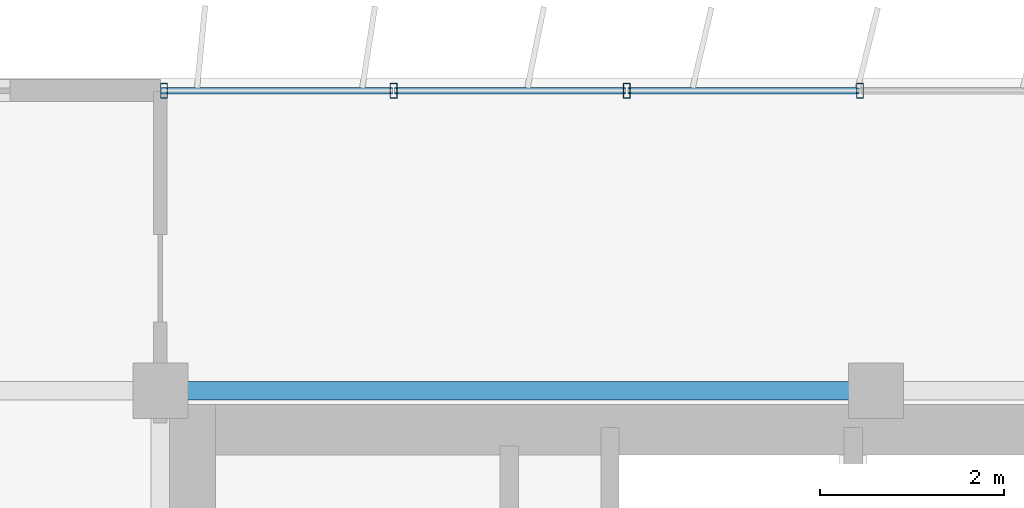
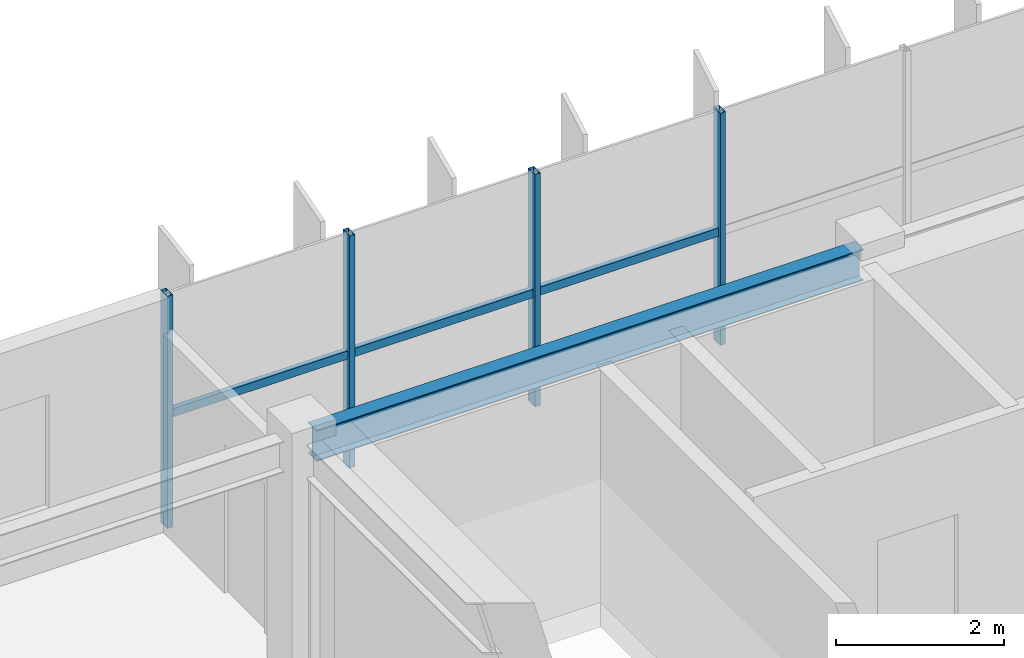
# One storey, part 6 of 21: 7 members, 1 beam, 1 element without a shape of its own.
"""IFC4 building model written with IfcOpenShell, lengths in metres."""

from ifc_helpers import new_model, si_unit, direction, frame, origin, origin_2d, place, context, subcontext, project, spatial, hollow_rectangle, i_section, extrude, source, transform, mapped, material, material_profile, profile_set, type_object, element, aggregate, save


model = new_model("IFC4")

# Units and contexts
model_context = context("Model", 3, precision=1e-05, world=origin(), true_north=direction((0.0, 1.0)))
body_context = subcontext(model_context, "Body", "Model", "MODEL_VIEW")
ifc_project = project(units=[si_unit("LENGTHUNIT", "METRE"), si_unit("AREAUNIT", "SQUARE_METRE"), si_unit("VOLUMEUNIT", "CUBIC_METRE"), si_unit("PLANEANGLEUNIT", "RADIAN"), si_unit("MASSUNIT", "GRAM", prefix="KILO")], contexts=[model_context])

# Site, building, storey
site_placement = place(None, origin())
site = spatial("IfcSite", under=ifc_project, at=site_placement, CompositionType="ELEMENT")
building_placement = place(site_placement, origin())
building = spatial("IfcBuilding", under=site, at=building_placement, Name="Trelvane Seafront Commons", CompositionType="ELEMENT")
storey_placement = place(building_placement, frame((0.0, 0.0, 248.699951171875)))
storey = spatial("IfcBuildingStorey", under=building, at=storey_placement, Name="L64", CompositionType="ELEMENT", Elevation=248.699951171875)

# Beam
ifc_material_1 = material(Name="Steel SM355 (S355)", Category="steel")
ifc_material_profile_1 = material_profile(ifc_material_1, i_section(OverallWidth=0.199951171875, OverallDepth=0.449951171875, WebThickness=0.009033203125, FlangeThickness=0.013916015625, at=origin_2d()), Name="H-450x200x9x14")
ifc_profile_set_1 = profile_set([ifc_material_profile_1], Name="Steel SM355 (S355)")
beam_type = type_object("IfcBeamType", Name="STR-SPD-H450", PredefinedType="SPANDREL", material=ifc_profile_set_1)
shared_shape_1 = source(origin(), body_context, "Body", "SweptSolid", [
    extrude(i_section(OverallWidth=0.199951171875, OverallDepth=0.449951171875, WebThickness=0.009033203125, FlangeThickness=0.013916015625, at=origin_2d()), origin(), (0.0, 0.0, 1.0), 7.5),
])
beam_placement = place(storey_placement, frame((15.75, 45.10009765625, 3.14501953125), z_axis=(1.0, 0.0, 0.0), x_axis=(0.0, 1.0, 0.0)))
element("IfcBeam", 1, at=beam_placement, inside=storey, type_object=beam_type, Name="L64 Primary Girder G-23", PredefinedType="SPANDREL", context=body_context, shape_type="MappedRepresentation", body=[
    mapped(shared_shape_1, transform((0.0, 0.0, 0.0), x_axis=(1.0, 0.0, 0.0), y_axis=(0.0, 1.0, 0.0), z_axis=(0.0, 0.0, 1.0), scale=1.0)),
])

# Curtain wall, members
ifc_material_2 = material(Name="Anodised pale-silver aluminium", Category="aluminium")
curtain_wall_type = type_object("IfcCurtainWallType", Name="ARCH-CW5-UPTOWER", PredefinedType="NOTDEFINED", material=ifc_material_2)
curtain_wall_placement = place(storey_placement, origin())
curtain_wall = element("IfcCurtainWall", 2, at=curtain_wall_placement, inside=storey, type_object=curtain_wall_type, Name="CW-L64-0108", PredefinedType="NOTDEFINED")
ifc_material_profile_2 = material_profile(ifc_material_2, hollow_rectangle(XDim=0.070068359375, YDim=0.1201171875, WallThickness=0.00390625, at=origin_2d()), Name="TRAN-70x120x4")
ifc_profile_set_2 = profile_set([ifc_material_profile_2], Name="Anodised pale-silver aluminium")
member_type_1 = type_object("IfcMemberType", Name="ARCH-CW-TRAN-120", PredefinedType="USERDEFINED", material=ifc_profile_set_2)
shared_shape_2 = source(origin(), body_context, "Body", "SweptSolid", [
    extrude(hollow_rectangle(XDim=0.070068359375, YDim=0.1201171875, WallThickness=0.00390625, at=origin_2d()), origin(), (0.0, 0.0, 1.0), 2.51708984375),
])
member_1_placement = place(storey_placement, frame((15.612060546875, 48.3701171875, 1.6181640625), z_axis=(1.0, 0.0, 0.0), x_axis=(0.0, 1.0, 0.0)))
member_1 = element("IfcMember", 3, at=member_1_placement, type_object=member_type_1, Name="CW-L64-0108-T00", ObjectType="TRANSOM", PredefinedType="USERDEFINED", context=body_context, shape_type="MappedRepresentation", body=[
    mapped(shared_shape_2, transform((0.0, 0.0, 0.0), x_axis=(1.0, 0.0, 0.0), y_axis=(0.0, 1.0, 0.0), z_axis=(0.0, 0.0, 1.0), scale=1.0)),
])
member_2_placement = place(storey_placement, frame((18.1533203125, 48.3701171875, 1.6181640625), z_axis=(1.0, 0.0, 0.0), x_axis=(0.0, 1.0, 0.0)))
member_2 = element("IfcMember", 4, at=member_2_placement, type_object=member_type_1, Name="CW-L64-0108-T01", ObjectType="TRANSOM", PredefinedType="USERDEFINED", context=body_context, shape_type="MappedRepresentation", body=[
    mapped(shared_shape_2, transform((0.0, 0.0, 0.0), x_axis=(1.0, 0.0, 0.0), y_axis=(0.0, 1.0, 0.0), z_axis=(0.0, 0.0, 1.0), scale=1.0)),
])
member_3_placement = place(storey_placement, frame((20.6943359375, 48.3701171875, 1.6181640625), z_axis=(1.0, 0.0, 0.0), x_axis=(0.0, 1.0, 0.0)))
member_3 = element("IfcMember", 5, at=member_3_placement, type_object=member_type_1, Name="CW-L64-0108-T02", ObjectType="TRANSOM", PredefinedType="USERDEFINED", context=body_context, shape_type="MappedRepresentation", body=[
    mapped(shared_shape_2, transform((0.0, 0.0, 0.0), x_axis=(1.0, 0.0, 0.0), y_axis=(0.0, 1.0, 0.0), z_axis=(0.0, 0.0, 1.0), scale=1.0)),
])
ifc_material_profile_3 = material_profile(ifc_material_2, hollow_rectangle(XDim=0.074951171875, YDim=0.159912109375, WallThickness=0.00390625, at=origin_2d()), Name="MULL-75x160x4")
ifc_profile_set_3 = profile_set([ifc_material_profile_3], Name="Anodised pale-silver aluminium")
member_type_2 = type_object("IfcMemberType", Name="ARCH-CW-MULL-160", PredefinedType="MULLION", material=ifc_profile_set_3)
shared_shape_3 = source(origin(), body_context, "Body", "SweptSolid", [
    extrude(hollow_rectangle(XDim=0.074951171875, YDim=0.159912109375, WallThickness=0.00390625, at=origin_2d()), origin(), (0.0, 0.0, 1.0), 3.3701171875),
])
member_4_placement = place(storey_placement, frame((15.639892578125, 48.3701171875, 0.0), z_axis=(0.0, 0.0, 1.0), x_axis=(1.0, 0.0, 0.0)))
member_4 = element("IfcMember", 6, at=member_4_placement, type_object=member_type_2, Name="CW-L64-0108-M00", PredefinedType="MULLION", context=body_context, shape_type="MappedRepresentation", body=[
    mapped(shared_shape_3, transform((0.0, 0.0, 0.0), x_axis=(1.0, 0.0, 0.0), y_axis=(0.0, 1.0, 0.0), z_axis=(0.0, 0.0, 1.0), scale=1.0)),
])
member_5_placement = place(storey_placement, frame((18.14111328125, 48.3701171875, 0.0), z_axis=(0.0, 0.0, 1.0), x_axis=(1.0, 0.0, 0.0)))
member_5 = element("IfcMember", 7, at=member_5_placement, type_object=member_type_2, Name="CW-L64-0108-M01", PredefinedType="MULLION", context=body_context, shape_type="MappedRepresentation", body=[
    mapped(shared_shape_3, transform((0.0, 0.0, 0.0), x_axis=(1.0, 0.0, 0.0), y_axis=(0.0, 1.0, 0.0), z_axis=(0.0, 0.0, 1.0), scale=1.0)),
])
member_6_placement = place(storey_placement, frame((20.682373046875, 48.3701171875, 0.0), z_axis=(0.0, 0.0, 1.0), x_axis=(1.0, 0.0, 0.0)))
member_6 = element("IfcMember", 8, at=member_6_placement, type_object=member_type_2, Name="CW-L64-0108-M02", PredefinedType="MULLION", context=body_context, shape_type="MappedRepresentation", body=[
    mapped(shared_shape_3, transform((0.0, 0.0, 0.0), x_axis=(1.0, 0.0, 0.0), y_axis=(0.0, 1.0, 0.0), z_axis=(0.0, 0.0, 1.0), scale=1.0)),
])
member_7_placement = place(storey_placement, frame((23.223388671875, 48.3701171875, 0.0), z_axis=(0.0, 0.0, 1.0), x_axis=(1.0, 0.0, 0.0)))
member_7 = element("IfcMember", 9, at=member_7_placement, type_object=member_type_2, Name="CW-L64-0108-M03", PredefinedType="MULLION", context=body_context, shape_type="MappedRepresentation", body=[
    mapped(shared_shape_3, transform((0.0, 0.0, 0.0), x_axis=(1.0, 0.0, 0.0), y_axis=(0.0, 1.0, 0.0), z_axis=(0.0, 0.0, 1.0), scale=1.0)),
])
aggregate(curtain_wall, [member_4, member_5, member_6, member_7, member_1, member_2, member_3])

save(model, "model.ifc")
